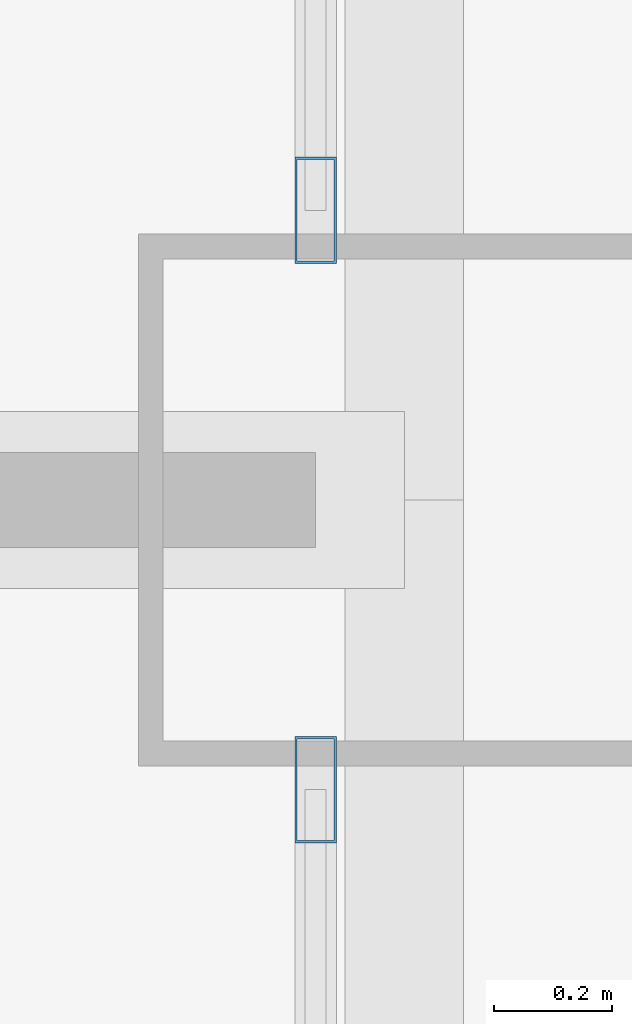
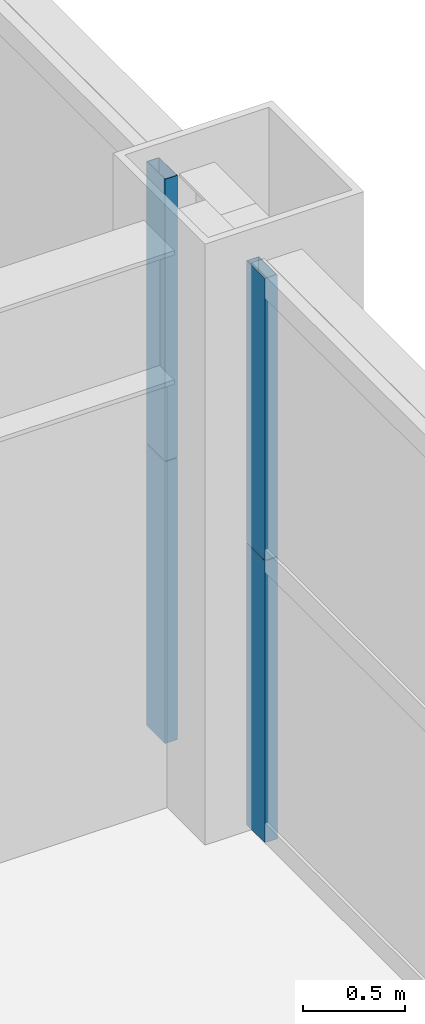
# One storey, part 21 of 43: 4 members, 2 elements without a shape of their own.
"""IFC4 building model written with IfcOpenShell, lengths in metres."""

from ifc_helpers import new_model, si_unit, direction, frame, origin, origin_2d, place, context, subcontext, project, spatial, hollow_rectangle, extrude, source, transform, mapped, material, layer, layer_set, material_profile, profile_set, type_object, element, aggregate, save


model = new_model("IFC4")

# Units and contexts
model_context = context("Model", 3, precision=1e-05, world=origin(), true_north=direction((0.0, 1.0)))
body_context = subcontext(model_context, "Body", "Model", "MODEL_VIEW")
ifc_project = project(units=[si_unit("LENGTHUNIT", "METRE"), si_unit("AREAUNIT", "SQUARE_METRE"), si_unit("VOLUMEUNIT", "CUBIC_METRE"), si_unit("PLANEANGLEUNIT", "RADIAN"), si_unit("MASSUNIT", "GRAM", prefix="KILO"), si_unit("THERMODYNAMICTEMPERATUREUNIT", "KELVIN"), si_unit("POWERUNIT", "WATT")], contexts=[model_context])

# Site, building, storey
site_placement = place(None, origin())
site = spatial("IfcSite", under=ifc_project, at=site_placement, CompositionType="ELEMENT")
building_placement = place(site_placement, origin())
building = spatial("IfcBuilding", under=site, at=building_placement, Name="Yuzanri Waterfront Tower", CompositionType="ELEMENT")
storey_placement = place(building_placement, frame((0.0, 0.0, 53.199951171875)))
storey = spatial("IfcBuildingStorey", under=building, at=storey_placement, Name="L13", CompositionType="ELEMENT", Elevation=53.199951171875)

# Curtain wall, members
ifc_material_1 = material(Name="Anodized Architectural Bronze", Category="metal")
ifc_layer = layer(ifc_material_1, 0.159912109375)
ifc_layer_set = layer_set([ifc_layer], Name="Anodized Architectural Bronze")
curtain_wall_type = type_object("IfcCurtainWallType", Name="Anodized Bronze Hotel Lower-Tier Recessed Unitized Curtain Wall 8100", PredefinedType="NOTDEFINED", material=ifc_layer_set)
curtain_wall_1_placement = place(storey_placement, origin())
curtain_wall_1 = element("IfcCurtainWall", 1, at=curtain_wall_1_placement, inside=storey, type_object=curtain_wall_type, Name="L13 Curtain Wall CW-L13-EL", PredefinedType="NOTDEFINED")
ifc_material_2 = material(Name="Anodized Architectural Bronze", Category="metal")
ifc_material_profile = material_profile(ifc_material_2, hollow_rectangle(XDim=0.070068359375, YDim=0.179931640625, WallThickness=0.00390625, at=origin_2d()), Name="CWM 70x180")
ifc_profile_set = profile_set([ifc_material_profile], Name="Anodized Architectural Bronze")
member_type = type_object("IfcMemberType", Name="Anodized Bronze Standard Curtain-Wall Mullion 70x180", PredefinedType="MULLION", material=ifc_profile_set)
shared_shape = source(origin(), body_context, "Body", "SweptSolid", [
    extrude(hollow_rectangle(XDim=0.070068359375, YDim=0.179931640625, WallThickness=0.00390625, at=origin_2d()), origin(), (0.0, 0.0, 1.0), 1.68798828125),
])
member_1_placement = place(storey_placement, frame((61.949951171875, 25.31005859375, 0.0), z_axis=(0.0, 0.0, 1.0), x_axis=(1.0, 0.0, 0.0)))
member_1 = element("IfcMember", 2, at=member_1_placement, type_object=member_type, Name="CW-L13-EL Lower Mullion 02", PredefinedType="MULLION", context=body_context, shape_type="MappedRepresentation", body=[
    mapped(shared_shape, transform((0.0, 0.0, 0.0), scale=1.0)),
])
member_2_placement = place(storey_placement, frame((61.949951171875, 25.31005859375, 1.692138671875), z_axis=(0.0, 0.0, 1.0), x_axis=(1.0, 0.0, 0.0)))
member_2 = element("IfcMember", 3, at=member_2_placement, type_object=member_type, Name="CW-L13-EL Upper Mullion 02", PredefinedType="MULLION", context=body_context, shape_type="MappedRepresentation", body=[
    mapped(shared_shape, transform((0.0, 0.0, 0.0), scale=1.0)),
])
aggregate(curtain_wall_1, [member_1, member_2])

curtain_wall_2_placement = place(storey_placement, origin())
curtain_wall_2 = element("IfcCurtainWall", 4, at=curtain_wall_2_placement, inside=storey, type_object=curtain_wall_type, Name="L13 Curtain Wall CW-L13-ER", PredefinedType="NOTDEFINED")
member_3_placement = place(storey_placement, frame((61.949951171875, 26.2900390625, 0.0), z_axis=(0.0, 0.0, 1.0), x_axis=(1.0, 0.0, 0.0)))
member_3 = element("IfcMember", 5, at=member_3_placement, type_object=member_type, Name="CW-L13-ER Lower Mullion 00", PredefinedType="MULLION", context=body_context, shape_type="MappedRepresentation", body=[
    mapped(shared_shape, transform((0.0, 0.0, 0.0), scale=1.0)),
])
member_4_placement = place(storey_placement, frame((61.949951171875, 26.2900390625, 1.692138671875), z_axis=(0.0, 0.0, 1.0), x_axis=(1.0, 0.0, 0.0)))
member_4 = element("IfcMember", 6, at=member_4_placement, type_object=member_type, Name="CW-L13-ER Upper Mullion 00", PredefinedType="MULLION", context=body_context, shape_type="MappedRepresentation", body=[
    mapped(shared_shape, transform((0.0, 0.0, 0.0), scale=1.0)),
])
aggregate(curtain_wall_2, [member_3, member_4])

save(model, "model.ifc")
